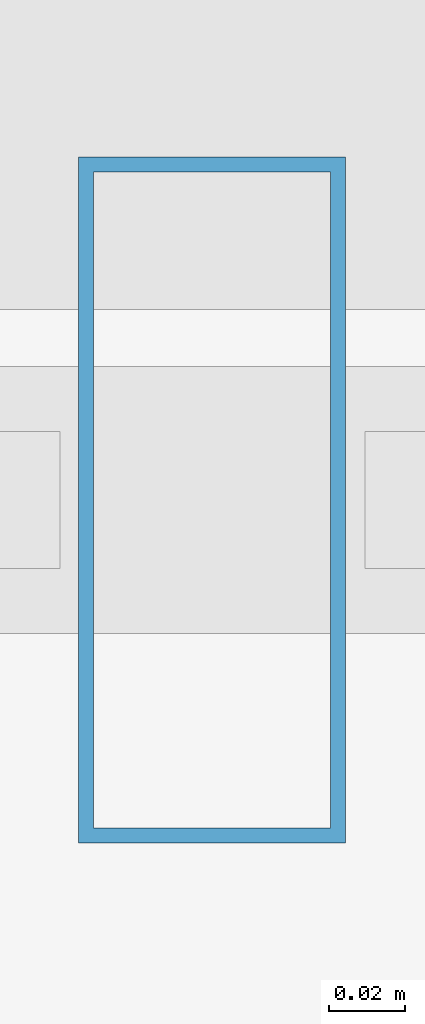
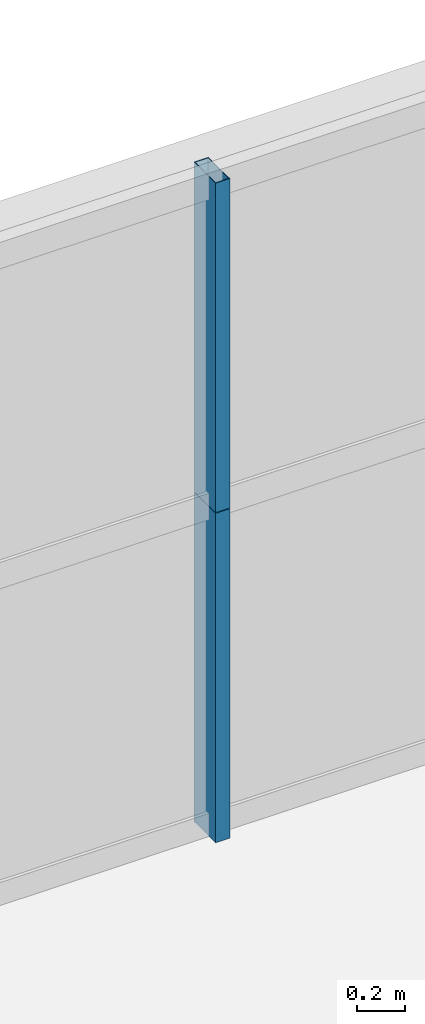
# One storey, part 28 of 43: 2 members, 1 element without a shape of its own.
"""IFC4 building model written with IfcOpenShell, lengths in metres."""

from ifc_helpers import new_model, si_unit, direction, frame, origin, origin_2d, place, context, subcontext, project, spatial, hollow_rectangle, extrude, source, transform, mapped, material, layer, layer_set, material_profile, profile_set, type_object, element, aggregate, save


model = new_model("IFC4")

# Units and contexts
model_context = context("Model", 3, precision=1e-05, world=origin(), true_north=direction((0.0, 1.0)))
body_context = subcontext(model_context, "Body", "Model", "MODEL_VIEW")
ifc_project = project(units=[si_unit("LENGTHUNIT", "METRE"), si_unit("AREAUNIT", "SQUARE_METRE"), si_unit("VOLUMEUNIT", "CUBIC_METRE"), si_unit("PLANEANGLEUNIT", "RADIAN"), si_unit("MASSUNIT", "GRAM", prefix="KILO"), si_unit("THERMODYNAMICTEMPERATUREUNIT", "KELVIN"), si_unit("POWERUNIT", "WATT")], contexts=[model_context])

# Site, building, storey
site_placement = place(None, origin())
site = spatial("IfcSite", under=ifc_project, at=site_placement, CompositionType="ELEMENT")
building_placement = place(site_placement, origin())
building = spatial("IfcBuilding", under=site, at=building_placement, Name="Yuzanri Waterfront Tower", CompositionType="ELEMENT")
storey_placement = place(building_placement, frame((0.0, 0.0, 67.60009765625)))
storey = spatial("IfcBuildingStorey", under=building, at=storey_placement, Name="L17", CompositionType="ELEMENT", Elevation=67.60009765625)

# Curtain wall, members
ifc_material_1 = material(Name="Anodized Architectural Bronze", Category="metal")
ifc_layer = layer(ifc_material_1, 0.159912109375)
ifc_layer_set = layer_set([ifc_layer], Name="Anodized Architectural Bronze")
curtain_wall_type = type_object("IfcCurtainWallType", Name="Anodized Bronze Hotel Lower-Tier Recessed Unitized Curtain Wall 8100", PredefinedType="NOTDEFINED", material=ifc_layer_set)
curtain_wall_placement = place(storey_placement, origin())
curtain_wall = element("IfcCurtainWall", 1, at=curtain_wall_placement, inside=storey, type_object=curtain_wall_type, Name="L17 Curtain Wall CW-L17-NL", PredefinedType="NOTDEFINED")
ifc_material_2 = material(Name="Anodized Architectural Bronze", Category="metal")
ifc_material_profile = material_profile(ifc_material_2, hollow_rectangle(XDim=0.070068359375, YDim=0.179931640625, WallThickness=0.00390625, at=origin_2d()), Name="CWM 70x180")
ifc_profile_set = profile_set([ifc_material_profile], Name="Anodized Architectural Bronze")
member_type = type_object("IfcMemberType", Name="Anodized Bronze Standard Curtain-Wall Mullion 70x180", PredefinedType="MULLION", material=ifc_profile_set)
shared_shape = source(origin(), body_context, "Body", "SweptSolid", [
    extrude(hollow_rectangle(XDim=0.070068359375, YDim=0.179931640625, WallThickness=0.00390625, at=origin_2d()), origin(), (0.0, 0.0, 1.0), 1.68798828125),
])
member_1_placement = place(storey_placement, frame((27.89990234375, 50.75, 0.0), z_axis=(0.0, 0.0, 1.0), x_axis=(1.0, 0.0, 0.0)))
member_1 = element("IfcMember", 2, at=member_1_placement, type_object=member_type, Name="CW-L17-NL Lower Mullion 01", PredefinedType="MULLION", context=body_context, shape_type="MappedRepresentation", body=[
    mapped(shared_shape, transform((0.0, 0.0, 0.0), scale=1.0)),
])
member_2_placement = place(storey_placement, frame((27.89990234375, 50.75, 1.69189453125), z_axis=(0.0, 0.0, 1.0), x_axis=(1.0, 0.0, 0.0)))
member_2 = element("IfcMember", 3, at=member_2_placement, type_object=member_type, Name="CW-L17-NL Upper Mullion 01", PredefinedType="MULLION", context=body_context, shape_type="MappedRepresentation", body=[
    mapped(shared_shape, transform((0.0, 0.0, 0.0), scale=1.0)),
])
aggregate(curtain_wall, [member_1, member_2])

save(model, "model.ifc")
